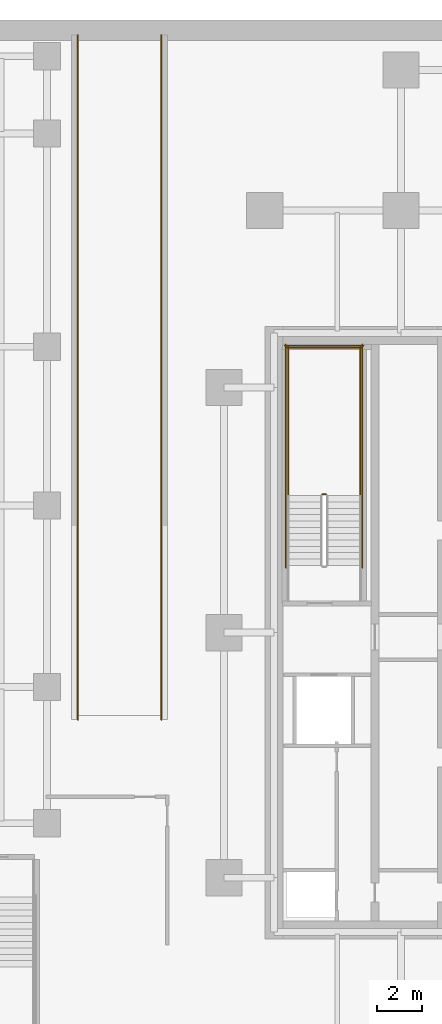
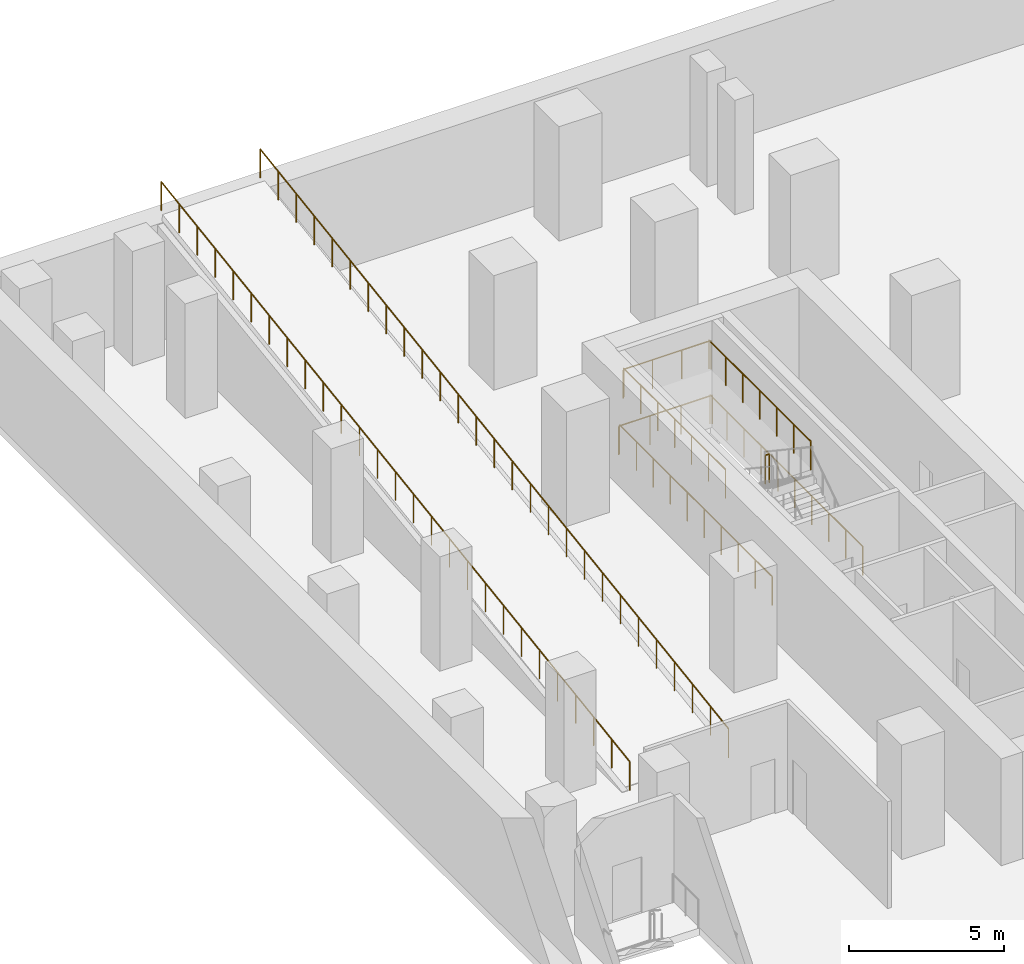
# One storey, part 12 of 14: 9 railings.
"""IFC4 building model written with IfcOpenShell, lengths in metres."""

from ifc_helpers import new_model, si_unit, direction, frame, origin, origin_2d, place, context, subcontext, project, spatial, circle, extrude, material, type_object, element, save


model = new_model("IFC4")

# Units and contexts
model_context = context("Model", 3, precision=1e-05, world=origin(), true_north=direction((0.0, 1.0)))
body_context = subcontext(model_context, "Body", "Model", "MODEL_VIEW")
ifc_project = project(units=[si_unit("LENGTHUNIT", "METRE"), si_unit("AREAUNIT", "SQUARE_METRE"), si_unit("VOLUMEUNIT", "CUBIC_METRE"), si_unit("PLANEANGLEUNIT", "RADIAN"), si_unit("MASSUNIT", "GRAM", prefix="KILO")], contexts=[model_context])

# Site, building, storey
site_placement = place(None, origin())
site = spatial("IfcSite", under=ifc_project, at=site_placement, CompositionType="ELEMENT")
building_placement = place(site_placement, origin())
building = spatial("IfcBuilding", under=site, at=building_placement, Name="Khairoan Windgate Tower", CompositionType="ELEMENT")
storey_placement = place(building_placement, frame((0.0, 0.0, -4.5)))
storey = spatial("IfcBuildingStorey", under=building, at=storey_placement, Name="B1", CompositionType="ELEMENT", Elevation=-4.5)

# Railings
ifc_material_1 = material(Name="Steel S355", Category="steel")
railing_type_1 = type_object("IfcRailingType", Name="Ramp Safety Guardrail RG-1150", PredefinedType="GUARDRAIL", material=ifc_material_1)
railing_1_placement = place(storey_placement, frame((-28.639892578125, -3.840087890625, 0.0)))
element("IfcRailing", 1, at=railing_1_placement, inside=storey, type_object=railing_type_1, Name="Car Park Vehicular Ramp R1 (L01 to B1) W Edge Guardrail", PredefinedType="GUARDRAIL", context=body_context, shape_type="SweptSolid", body=[
    extrude(circle(Radius=0.02392578125, at=origin_2d()), frame((0.0, 0.0, 1.1259765625), z_axis=(0.0, 0.989065906388, 0.147474176791), x_axis=(-1.0, 0.0, 0.0)), (0.0, 0.0, 1.0), 30.513916015625),
    extrude(circle(Radius=0.02099609375, at=origin_2d()), origin(), (0.0, 0.0, 1.0), 1.101806640625),
    extrude(circle(Radius=0.02099609375, at=origin_2d()), frame((0.0, 1.160888671875, 0.173095703125)), (0.0, 0.0, 1.0), 1.101806640625),
    extrude(circle(Radius=0.02099609375, at=origin_2d()), frame((0.0, 2.321533203125, 0.34619140625)), (0.0, 0.0, 1.0), 1.101806640625),
    extrude(circle(Radius=0.02099609375, at=origin_2d()), frame((0.0, 3.482421875, 0.519287109375)), (0.0, 0.0, 1.0), 1.101806640625),
    extrude(circle(Radius=0.02099609375, at=origin_2d()), frame((0.0, 4.64306640625, 0.6923828125)), (0.0, 0.0, 1.0), 1.101806640625),
    extrude(circle(Radius=0.02099609375, at=origin_2d()), frame((0.0, 5.803955078125, 0.865478515625)), (0.0, 0.0, 1.0), 1.101806640625),
    extrude(circle(Radius=0.02099609375, at=origin_2d()), frame((0.0, 6.964599609375, 1.03857421875)), (0.0, 0.0, 1.0), 1.101806640625),
    extrude(circle(Radius=0.02099609375, at=origin_2d()), frame((0.0, 8.12548828125, 1.21142578125)), (0.0, 0.0, 1.0), 1.101806640625),
    extrude(circle(Radius=0.02099609375, at=origin_2d()), frame((0.0, 9.2861328125, 1.384521484375)), (0.0, 0.0, 1.0), 1.101806640625),
    extrude(circle(Radius=0.02099609375, at=origin_2d()), frame((0.0, 10.447021484375, 1.5576171875)), (0.0, 0.0, 1.0), 1.101806640625),
    extrude(circle(Radius=0.02099609375, at=origin_2d()), frame((0.0, 11.607666015625, 1.730712890625)), (0.0, 0.0, 1.0), 1.101806640625),
    extrude(circle(Radius=0.02099609375, at=origin_2d()), frame((0.0, 12.7685546875, 1.90380859375)), (0.0, 0.0, 1.0), 1.101806640625),
    extrude(circle(Radius=0.02099609375, at=origin_2d()), frame((0.0, 13.92919921875, 2.076904296875)), (0.0, 0.0, 1.0), 1.101806640625),
    extrude(circle(Radius=0.02099609375, at=origin_2d()), frame((0.0, 15.090087890625, 2.25)), (0.0, 0.0, 1.0), 1.101806640625),
    extrude(circle(Radius=0.02099609375, at=origin_2d()), frame((0.0, 16.2509765625, 2.423095703125)), (0.0, 0.0, 1.0), 1.101806640625),
    extrude(circle(Radius=0.02099609375, at=origin_2d()), frame((0.0, 17.41162109375, 2.59619140625)), (0.0, 0.0, 1.0), 1.101806640625),
    extrude(circle(Radius=0.02099609375, at=origin_2d()), frame((0.0, 18.572509765625, 2.769287109375)), (0.0, 0.0, 1.0), 1.101806640625),
    extrude(circle(Radius=0.02099609375, at=origin_2d()), frame((0.0, 19.733154296875, 2.9423828125)), (0.0, 0.0, 1.0), 1.101806640625),
    extrude(circle(Radius=0.02099609375, at=origin_2d()), frame((0.0, 20.89404296875, 3.115478515625)), (0.0, 0.0, 1.0), 1.101806640625),
    extrude(circle(Radius=0.02099609375, at=origin_2d()), frame((0.0, 22.0546875, 3.28857421875)), (0.0, 0.0, 1.0), 1.101806640625),
    extrude(circle(Radius=0.02099609375, at=origin_2d()), frame((0.0, 23.215576171875, 3.46142578125)), (0.0, 0.0, 1.0), 1.101806640625),
    extrude(circle(Radius=0.02099609375, at=origin_2d()), frame((0.0, 24.376220703125, 3.634521484375)), (0.0, 0.0, 1.0), 1.101806640625),
    extrude(circle(Radius=0.02099609375, at=origin_2d()), frame((0.0, 25.537109375, 3.8076171875)), (0.0, 0.0, 1.0), 1.101806640625),
    extrude(circle(Radius=0.02099609375, at=origin_2d()), frame((0.0, 26.69775390625, 3.980712890625)), (0.0, 0.0, 1.0), 1.101806640625),
    extrude(circle(Radius=0.02099609375, at=origin_2d()), frame((0.0, 27.858642578125, 4.15380859375)), (0.0, 0.0, 1.0), 1.101806640625),
    extrude(circle(Radius=0.02099609375, at=origin_2d()), frame((0.0, 29.019287109375, 4.326904296875)), (0.0, 0.0, 1.0), 1.101806640625),
    extrude(circle(Radius=0.02099609375, at=origin_2d()), frame((0.0, 30.18017578125, 4.5)), (0.0, 0.0, 1.0), 1.101806640625),
])
railing_2_placement = place(storey_placement, frame((-24.9599609375, -3.840087890625, 0.0)))
element("IfcRailing", 2, at=railing_2_placement, inside=storey, type_object=railing_type_1, Name="Car Park Vehicular Ramp R1 (L01 to B1) E Edge Guardrail", PredefinedType="GUARDRAIL", context=body_context, shape_type="SweptSolid", body=[
    extrude(circle(Radius=0.02392578125, at=origin_2d()), frame((0.0, 0.0, 1.1259765625), z_axis=(0.0, 0.989065906388, 0.147474176791), x_axis=(-1.0, 0.0, 0.0)), (0.0, 0.0, 1.0), 30.513916015625),
    extrude(circle(Radius=0.02099609375, at=origin_2d()), origin(), (0.0, 0.0, 1.0), 1.101806640625),
    extrude(circle(Radius=0.02099609375, at=origin_2d()), frame((0.0, 1.160888671875, 0.173095703125)), (0.0, 0.0, 1.0), 1.101806640625),
    extrude(circle(Radius=0.02099609375, at=origin_2d()), frame((0.0, 2.321533203125, 0.34619140625)), (0.0, 0.0, 1.0), 1.101806640625),
    extrude(circle(Radius=0.02099609375, at=origin_2d()), frame((0.0, 3.482421875, 0.519287109375)), (0.0, 0.0, 1.0), 1.101806640625),
    extrude(circle(Radius=0.02099609375, at=origin_2d()), frame((0.0, 4.64306640625, 0.6923828125)), (0.0, 0.0, 1.0), 1.101806640625),
    extrude(circle(Radius=0.02099609375, at=origin_2d()), frame((0.0, 5.803955078125, 0.865478515625)), (0.0, 0.0, 1.0), 1.101806640625),
    extrude(circle(Radius=0.02099609375, at=origin_2d()), frame((0.0, 6.964599609375, 1.03857421875)), (0.0, 0.0, 1.0), 1.101806640625),
    extrude(circle(Radius=0.02099609375, at=origin_2d()), frame((0.0, 8.12548828125, 1.21142578125)), (0.0, 0.0, 1.0), 1.101806640625),
    extrude(circle(Radius=0.02099609375, at=origin_2d()), frame((0.0, 9.2861328125, 1.384521484375)), (0.0, 0.0, 1.0), 1.101806640625),
    extrude(circle(Radius=0.02099609375, at=origin_2d()), frame((0.0, 10.447021484375, 1.5576171875)), (0.0, 0.0, 1.0), 1.101806640625),
    extrude(circle(Radius=0.02099609375, at=origin_2d()), frame((0.0, 11.607666015625, 1.730712890625)), (0.0, 0.0, 1.0), 1.101806640625),
    extrude(circle(Radius=0.02099609375, at=origin_2d()), frame((0.0, 12.7685546875, 1.90380859375)), (0.0, 0.0, 1.0), 1.101806640625),
    extrude(circle(Radius=0.02099609375, at=origin_2d()), frame((0.0, 13.92919921875, 2.076904296875)), (0.0, 0.0, 1.0), 1.101806640625),
    extrude(circle(Radius=0.02099609375, at=origin_2d()), frame((0.0, 15.090087890625, 2.25)), (0.0, 0.0, 1.0), 1.101806640625),
    extrude(circle(Radius=0.02099609375, at=origin_2d()), frame((0.0, 16.2509765625, 2.423095703125)), (0.0, 0.0, 1.0), 1.101806640625),
    extrude(circle(Radius=0.02099609375, at=origin_2d()), frame((0.0, 17.41162109375, 2.59619140625)), (0.0, 0.0, 1.0), 1.101806640625),
    extrude(circle(Radius=0.02099609375, at=origin_2d()), frame((0.0, 18.572509765625, 2.769287109375)), (0.0, 0.0, 1.0), 1.101806640625),
    extrude(circle(Radius=0.02099609375, at=origin_2d()), frame((0.0, 19.733154296875, 2.9423828125)), (0.0, 0.0, 1.0), 1.101806640625),
    extrude(circle(Radius=0.02099609375, at=origin_2d()), frame((0.0, 20.89404296875, 3.115478515625)), (0.0, 0.0, 1.0), 1.101806640625),
    extrude(circle(Radius=0.02099609375, at=origin_2d()), frame((0.0, 22.0546875, 3.28857421875)), (0.0, 0.0, 1.0), 1.101806640625),
    extrude(circle(Radius=0.02099609375, at=origin_2d()), frame((0.0, 23.215576171875, 3.46142578125)), (0.0, 0.0, 1.0), 1.101806640625),
    extrude(circle(Radius=0.02099609375, at=origin_2d()), frame((0.0, 24.376220703125, 3.634521484375)), (0.0, 0.0, 1.0), 1.101806640625),
    extrude(circle(Radius=0.02099609375, at=origin_2d()), frame((0.0, 25.537109375, 3.8076171875)), (0.0, 0.0, 1.0), 1.101806640625),
    extrude(circle(Radius=0.02099609375, at=origin_2d()), frame((0.0, 26.69775390625, 3.980712890625)), (0.0, 0.0, 1.0), 1.101806640625),
    extrude(circle(Radius=0.02099609375, at=origin_2d()), frame((0.0, 27.858642578125, 4.15380859375)), (0.0, 0.0, 1.0), 1.101806640625),
    extrude(circle(Radius=0.02099609375, at=origin_2d()), frame((0.0, 29.019287109375, 4.326904296875)), (0.0, 0.0, 1.0), 1.101806640625),
    extrude(circle(Radius=0.02099609375, at=origin_2d()), frame((0.0, 30.18017578125, 4.5)), (0.0, 0.0, 1.0), 1.101806640625),
])
ifc_material_2 = material(Name="Steel S355", Category="steel")
railing_type_2 = type_object("IfcRailingType", Name="Stairwell Safety Guardrail SGR-1150", PredefinedType="GUARDRAIL", material=ifc_material_2)
railing_3_placement = place(storey_placement, frame((-17.7099609375, 6.090087890625, 2.25)))
element("IfcRailing", 3, at=railing_3_placement, inside=storey, type_object=railing_type_2, Name="B1 ST2 stair guard 2", PredefinedType="GUARDRAIL", context=body_context, shape_type="SweptSolid", body=[
    extrude(circle(Radius=0.02392578125, at=origin_2d()), frame((0.0, 0.0, 1.1259765625), z_axis=(-1.0, 0.0, 0.0), x_axis=(0.0, -1.0, 0.0)), (0.0, 0.0, 1.0), 0.150146484375),
    extrude(circle(Radius=0.02099609375, at=origin_2d()), origin(), (0.0, 0.0, 1.0), 1.101806640625),
    extrude(circle(Radius=0.02099609375, at=origin_2d()), frame((-0.150146484375, 0.0, 0.0)), (0.0, 0.0, 1.0), 1.101806640625),
])
for number, where, name in (
    (4, (-16.199951171875, 6.0400390625, 2.25), "B1 ST2 stair guard 3"),
    (5, (-19.3701171875, 6.0400390625, 2.25), "B1 ST2 stair guard 4"),
):
    element("IfcRailing", number, at=place(storey_placement, frame(where)), inside=storey, type_object=railing_type_2, Name=name, PredefinedType="GUARDRAIL", context=body_context, shape_type="SweptSolid", body=[
        extrude(circle(Radius=0.02392578125, at=origin_2d()), frame((0.0, 0.0, 1.1259765625), z_axis=(0.0, 1.0, 0.0), x_axis=(-1.0, 0.0, 0.0)), (0.0, 0.0, 1.0), 6.56005859375),
        extrude(circle(Radius=0.02099609375, at=origin_2d()), origin(), (0.0, 0.0, 1.0), 1.101806640625),
        extrude(circle(Radius=0.02099609375, at=origin_2d()), frame((0.0, 1.09326171875, 0.0)), (0.0, 0.0, 1.0), 1.101806640625),
        extrude(circle(Radius=0.02099609375, at=origin_2d()), frame((0.0, 2.186767578125, 0.0)), (0.0, 0.0, 1.0), 1.101806640625),
        extrude(circle(Radius=0.02099609375, at=origin_2d()), frame((0.0, 3.280029296875, 0.0)), (0.0, 0.0, 1.0), 1.101806640625),
        extrude(circle(Radius=0.02099609375, at=origin_2d()), frame((0.0, 4.373291015625, 0.0)), (0.0, 0.0, 1.0), 1.101806640625),
        extrude(circle(Radius=0.02099609375, at=origin_2d()), frame((0.0, 5.466796875, 0.0)), (0.0, 0.0, 1.0), 1.101806640625),
        extrude(circle(Radius=0.02099609375, at=origin_2d()), frame((0.0, 6.56005859375, 0.0)), (0.0, 0.0, 1.0), 1.101806640625),
    ])
railing_4_placement = place(storey_placement, frame((-16.14990234375, 12.550048828125, 2.25)))
element("IfcRailing", 6, at=railing_4_placement, inside=storey, type_object=railing_type_2, Name="B1 ST2 stair guard 5", PredefinedType="GUARDRAIL", context=body_context, shape_type="SweptSolid", body=[
    extrude(circle(Radius=0.02392578125, at=origin_2d()), frame((0.0, 0.0, 1.1259765625), z_axis=(-1.0, 0.0, 0.0), x_axis=(0.0, -1.0, 0.0)), (0.0, 0.0, 1.0), 3.27001953125),
    extrude(circle(Radius=0.02099609375, at=origin_2d()), origin(), (0.0, 0.0, 1.0), 1.101806640625),
    extrude(circle(Radius=0.02099609375, at=origin_2d()), frame((-1.090087890625, 0.0, 0.0)), (0.0, 0.0, 1.0), 1.101806640625),
    extrude(circle(Radius=0.02099609375, at=origin_2d()), frame((-2.179931640625, 0.0, 0.0)), (0.0, 0.0, 1.0), 1.101806640625),
    extrude(circle(Radius=0.02099609375, at=origin_2d()), frame((-3.27001953125, 0.0, 0.0)), (0.0, 0.0, 1.0), 1.101806640625),
])
for number, where, name in (
    (7, (-16.10009765625, 2.860107421875, 0.0), "B1 ST2 stair guard 10"),
    (8, (-19.469970703125, 2.860107421875, 0.0), "B1 ST2 stair guard 11"),
):
    element("IfcRailing", number, at=place(storey_placement, frame(where)), inside=storey, type_object=railing_type_2, Name=name, PredefinedType="GUARDRAIL", context=body_context, shape_type="SweptSolid", body=[
        extrude(circle(Radius=0.02392578125, at=origin_2d()), frame((0.0, 0.0, 1.1259765625), z_axis=(0.0, 1.0, 0.0), x_axis=(-1.0, 0.0, 0.0)), (0.0, 0.0, 1.0), 9.83984375),
        extrude(circle(Radius=0.02099609375, at=origin_2d()), origin(), (0.0, 0.0, 1.0), 1.101806640625),
        extrude(circle(Radius=0.02099609375, at=origin_2d()), frame((0.0, 1.09326171875, 0.0)), (0.0, 0.0, 1.0), 1.101806640625),
        extrude(circle(Radius=0.02099609375, at=origin_2d()), frame((0.0, 2.1865234375, 0.0)), (0.0, 0.0, 1.0), 1.101806640625),
        extrude(circle(Radius=0.02099609375, at=origin_2d()), frame((0.0, 3.280029296875, 0.0)), (0.0, 0.0, 1.0), 1.101806640625),
        extrude(circle(Radius=0.02099609375, at=origin_2d()), frame((0.0, 4.373291015625, 0.0)), (0.0, 0.0, 1.0), 1.101806640625),
        extrude(circle(Radius=0.02099609375, at=origin_2d()), frame((0.0, 5.466552734375, 0.0)), (0.0, 0.0, 1.0), 1.101806640625),
        extrude(circle(Radius=0.02099609375, at=origin_2d()), frame((0.0, 6.559814453125, 0.0)), (0.0, 0.0, 1.0), 1.101806640625),
        extrude(circle(Radius=0.02099609375, at=origin_2d()), frame((0.0, 7.6533203125, 0.0)), (0.0, 0.0, 1.0), 1.101806640625),
        extrude(circle(Radius=0.02099609375, at=origin_2d()), frame((0.0, 8.74658203125, 0.0)), (0.0, 0.0, 1.0), 1.101806640625),
        extrude(circle(Radius=0.02099609375, at=origin_2d()), frame((0.0, 9.83984375, 0.0)), (0.0, 0.0, 1.0), 1.101806640625),
    ])
railing_5_placement = place(storey_placement, frame((-16.050048828125, 12.64990234375, 0.0)))
element("IfcRailing", 9, at=railing_5_placement, inside=storey, type_object=railing_type_2, Name="B1 ST2 stair guard 12", PredefinedType="GUARDRAIL", context=body_context, shape_type="SweptSolid", body=[
    extrude(circle(Radius=0.02392578125, at=origin_2d()), frame((0.0, 0.0, 1.1259765625), z_axis=(-1.0, 0.0, 0.0), x_axis=(0.0, -1.0, 0.0)), (0.0, 0.0, 1.0), 3.469970703125),
    extrude(circle(Radius=0.02099609375, at=origin_2d()), origin(), (0.0, 0.0, 1.0), 1.101806640625),
    extrude(circle(Radius=0.02099609375, at=origin_2d()), frame((-1.15673828125, 0.0, 0.0)), (0.0, 0.0, 1.0), 1.101806640625),
    extrude(circle(Radius=0.02099609375, at=origin_2d()), frame((-2.313232421875, 0.0, 0.0)), (0.0, 0.0, 1.0), 1.101806640625),
    extrude(circle(Radius=0.02099609375, at=origin_2d()), frame((-3.469970703125, 0.0, 0.0)), (0.0, 0.0, 1.0), 1.101806640625),
])

save(model, "model.ifc")
